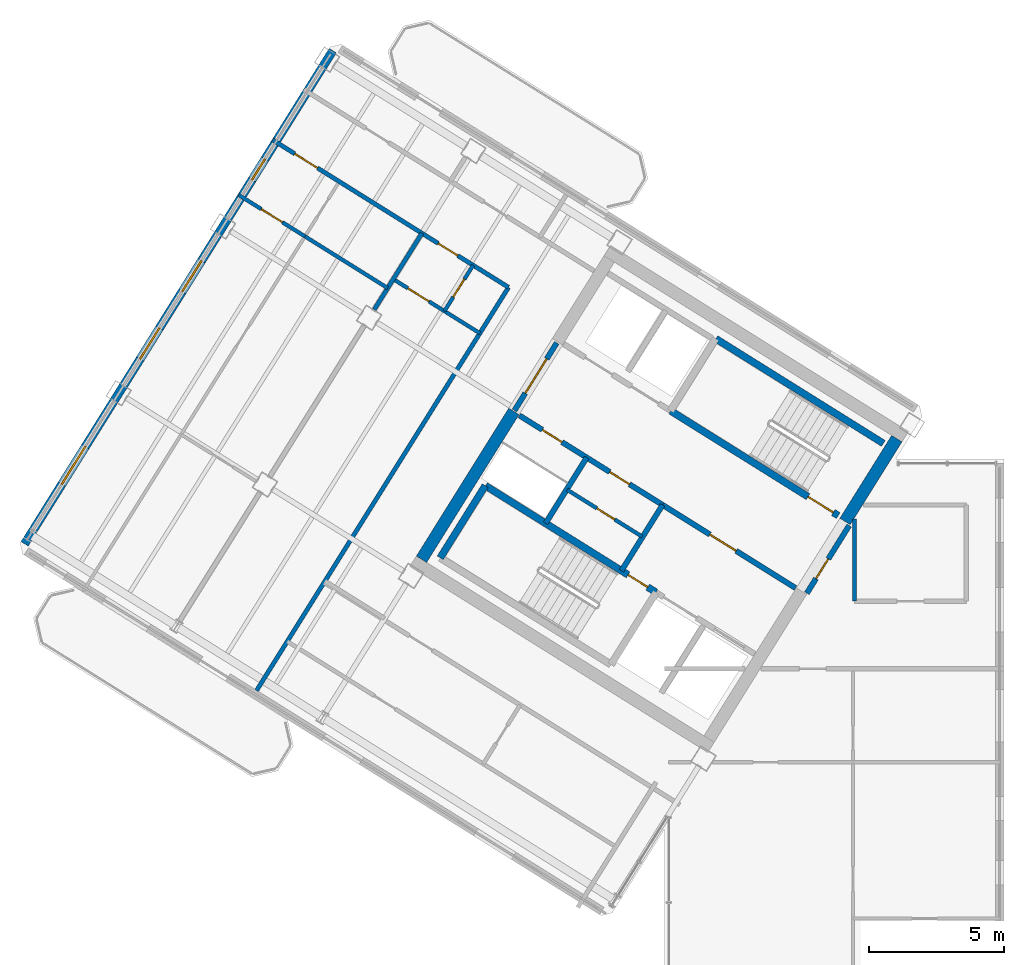
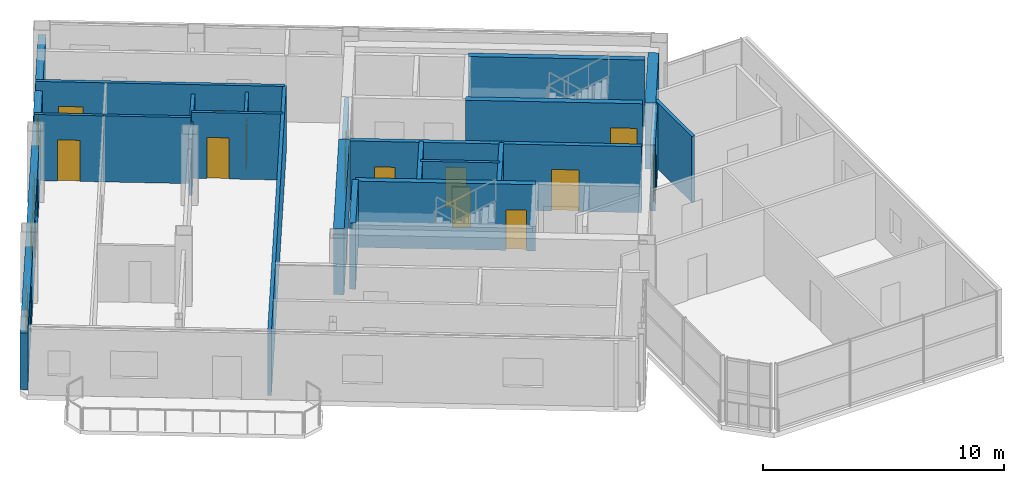
# One storey, part 8 of 14: 22 walls, 13 doors, 4 windows, 17 openings.
"""IFC4 building model written with IfcOpenShell, lengths in metres."""

from ifc_helpers import new_model, si_unit, direction, frame, frame_2d, origin, place, context, subcontext, project, spatial, rectangle, extrude, source, transform, mapped, material, layer, layer_set, type_object, element, fill, save


model = new_model("IFC4")

# Units and contexts
model_context = context("Model", 3, precision=1e-05, world=origin(), true_north=direction((0.0, 1.0)))
body_context = subcontext(model_context, "Body", "Model", "MODEL_VIEW")
ifc_project = project(units=[si_unit("LENGTHUNIT", "METRE"), si_unit("AREAUNIT", "SQUARE_METRE"), si_unit("VOLUMEUNIT", "CUBIC_METRE"), si_unit("PLANEANGLEUNIT", "RADIAN"), si_unit("MASSUNIT", "GRAM", prefix="KILO")], contexts=[model_context])

# Site, building, storey
site_placement = place(None, origin())
site = spatial("IfcSite", under=ifc_project, at=site_placement, CompositionType="ELEMENT")
building_placement = place(site_placement, origin())
building = spatial("IfcBuilding", under=site, at=building_placement, Name="Tlacorven Tower", CompositionType="ELEMENT")
storey_placement = place(building_placement, frame((0.0, 0.0, 284.39990234375)))
storey = spatial("IfcBuildingStorey", under=building, at=storey_placement, Name="L72", CompositionType="ELEMENT", Elevation=284.39990234375)

# Walls
ifc_material_1 = material(Name="Concrete C50/60", Category="concrete")
ifc_layer_1 = layer(ifc_material_1, 0.449951171875)
ifc_layer_set_1 = layer_set([ifc_layer_1], Name="Concrete C50/60")
wall_type_1 = type_object("IfcWallType", Name="WL-COR-450", PredefinedType="SHEAR", material=ifc_layer_set_1)
wall_1_placement = place(storey_placement, frame((40.220703125, 23.96484375, 0.0), z_axis=(0.0, 0.0, 1.0), x_axis=(-0.529902075036, -0.848058836916, 0.0)))
element("IfcWall", 1, at=wall_1_placement, inside=storey, type_object=wall_type_1, Name="L72 W core end wall E1.1", PredefinedType="SHEAR", context=body_context, shape_type="SweptSolid", body=[
    extrude(rectangle(XDim=3.625, YDim=0.449951171875, at=frame_2d((1.8125, 0.0))), origin(), (0.0, 0.0, 1.0), 3.35009765625),
])
wall_2_placement = place(storey_placement, frame((26.006591796875, 24.975830078125, 0.0), z_axis=(0.0, 0.0, 1.0), x_axis=(-0.529931155655, -0.848040665456, 0.0)))
element("IfcWall", 2, at=wall_2_placement, inside=storey, type_object=wall_type_1, Name="L72 W core end wall E2.2", PredefinedType="SHEAR", context=body_context, shape_type="SweptSolid", body=[
    extrude(rectangle(XDim=6.47509765625, YDim=0.449951171875, at=frame_2d((3.237548828125, 0.0))), origin(), (0.0, 0.0, 1.0), 3.35009765625),
])
ifc_material_2 = material(Name="Gypsum plasterboard acoustic partition", Category="gypsum")
ifc_layer_2 = layer(ifc_material_2, 0.159912109375)
ifc_layer_set_2 = layer_set([ifc_layer_2], Name="Gypsum plasterboard acoustic partition")
wall_type_2 = type_object("IfcWallType", Name="WL-DEM-160", PredefinedType="PARTITIONING", material=ifc_layer_set_2)
wall_3_placement = place(storey_placement, frame((25.806884765625, 29.58154296875, 0.0), z_axis=(0.0, 0.0, 1.0), x_axis=(-0.529918119251, -0.84804881162, 0.0)))
element("IfcWall", 3, at=wall_3_placement, inside=storey, type_object=wall_type_2, Name="L72 partition 23", PredefinedType="PARTITIONING", context=body_context, shape_type="SweptSolid", body=[
    extrude(rectangle(XDim=17.64990234375, YDim=0.159912109375, at=frame_2d((8.824951171875, 0.0))), origin(), (0.0, 0.0, 1.0), 3.340087890625),
])

# Wall, openings, doors
wall_4_placement = place(storey_placement, frame((25.806884765625, 29.58154296875, 0.0), z_axis=(0.0, 0.0, 1.0), x_axis=(-0.848060702647, 0.529899089097, 0.0)))
wall_4 = element("IfcWall", 4, at=wall_4_placement, inside=storey, type_object=wall_type_2, Name="L72 Wing W Corridor North Wall", PredefinedType="PARTITIONING", context=body_context, shape_type="SweptSolid", body=[
    extrude(rectangle(XDim=10.330078125, YDim=0.159912109375, at=frame_2d((5.1650390625, 0.0))), origin(), (0.0, 0.0, 1.0), 3.340087890625),
])
opening_1_placement = place(wall_4_placement, frame((2.219970703125, 0.0, 0.0)))
opening_1 = element("IfcOpeningElement", 5, at=opening_1_placement, cuts=wall_4, Name="Opening D19", PredefinedType="OPENING", context=body_context, shape_type="SweptSolid", body=[
    extrude(rectangle(XDim=0.860107421875, YDim=2.050048828125, at=frame_2d((0.43017578125, 1.02490234375))), frame((0.0, 0.08984375, 0.0), z_axis=(0.0, -1.0, 0.0), x_axis=(1.0, 0.0, 0.0)), (0.0, 0.0, 1.0), 0.179931640625),
])
opening_2_placement = place(wall_4_placement, frame((8.360107421875, 0.0, 0.0)))
opening_2 = element("IfcOpeningElement", 6, at=opening_2_placement, cuts=wall_4, Name="Opening D11", PredefinedType="OPENING", context=body_context, shape_type="SweptSolid", body=[
    extrude(rectangle(XDim=1.0, YDim=2.10009765625, at=frame_2d((0.5, 1.050048828125))), frame((0.0, 0.08984375, 0.0), z_axis=(0.0, -1.0, 0.0), x_axis=(1.0, 0.0, 0.0)), (0.0, 0.0, 1.0), 0.179931640625),
])
ifc_material_3 = material(Name="Fire-rated steel door assembly", Category="steel")
door_type_1 = type_object("IfcDoorType", Name="DR-RSR-FD60-0860", OperationType="NOTDEFINED", PredefinedType="DOOR", material=ifc_material_3)
shared_shape_1 = source(origin(), body_context, "Body", "SweptSolid", [
    extrude(rectangle(XDim=0.860107421875, YDim=2.050048828125, at=frame_2d((0.43017578125, 1.02490234375))), frame((0.0, 0.02490234375, 0.0), z_axis=(0.0, -1.0, 0.0), x_axis=(1.0, 0.0, 0.0)), (0.0, 0.0, 1.0), 0.050048828125),
])
door_1_placement = place(opening_1_placement, origin())
door_1 = element("IfcDoor", 7, at=door_1_placement, inside=storey, type_object=door_type_1, Name="L72 door 012", OperationType="SINGLE_SWING_RIGHT", OverallHeight=2.050048828125, OverallWidth=0.860107421875, PredefinedType="DOOR", context=body_context, shape_type="MappedRepresentation", body=[
    mapped(shared_shape_1, transform((0.0, 0.0, 0.0), scale=1.0)),
])
fill(opening_1, door_1)
door_type_2 = type_object("IfcDoorType", Name="DR-FLT-FD60-1000", OperationType="NOTDEFINED", PredefinedType="DOOR", material=ifc_material_3)
shared_shape_2 = source(origin(), body_context, "Body", "SweptSolid", [
    extrude(rectangle(XDim=1.0, YDim=2.10009765625, at=frame_2d((0.5, 1.050048828125))), frame((0.0, 0.02490234375, 0.0), z_axis=(0.0, -1.0, 0.0), x_axis=(1.0, 0.0, 0.0)), (0.0, 0.0, 1.0), 0.050048828125),
])
door_2_placement = place(opening_2_placement, origin())
door_2 = element("IfcDoor", 8, at=door_2_placement, inside=storey, type_object=door_type_2, Name="L72 door 016", OperationType="SINGLE_SWING_RIGHT", OverallHeight=2.10009765625, OverallWidth=1.0, PredefinedType="DOOR", context=body_context, shape_type="MappedRepresentation", body=[
    mapped(shared_shape_2, transform((0.0, 0.0, 0.0), scale=1.0)),
])
fill(opening_2, door_2)

# Walls
wall_5_placement = place(storey_placement, frame((22.5927734375, 31.58984375, 0.0), z_axis=(0.0, 0.0, 1.0), x_axis=(-0.529900320499, -0.848059933221, 0.0)))
element("IfcWall", 9, at=wall_5_placement, inside=storey, type_object=wall_type_2, Name="L72 WN Demising Wall 1", PredefinedType="PARTITIONING", context=body_context, shape_type="SweptSolid", body=[
    extrude(rectangle(XDim=3.337890625, YDim=0.159912109375, at=frame_2d((1.6689453125, 0.0))), origin(), (0.0, 0.0, 1.0), 2.875),
])
wall_6_placement = place(storey_placement, frame((38.64990234375, 17.929931640625, 0.0), z_axis=(0.0, 0.0, 1.0), x_axis=(0.0, 1.0, 0.0)))
element("IfcWall", 10, at=wall_6_placement, inside=storey, type_object=wall_type_2, Name="L72 partition 42", PredefinedType="PARTITIONING", context=body_context, shape_type="SweptSolid", body=[
    extrude(rectangle(XDim=3.045654296875, YDim=0.159912109375, at=frame_2d((1.52294921875, 0.0))), origin(), (0.0, 0.0, 1.0), 3.340087890625),
])

# Wall, openings, windows
ifc_material_4 = material(Name="Precast concrete C45/55", Category="concrete")
ifc_layer_3 = layer(ifc_material_4, 0.320068359375)
ifc_layer_set_3 = layer_set([ifc_layer_3], Name="Precast concrete C45/55")
wall_type_3 = type_object("IfcWallType", Name="WL-EXT-320", PredefinedType="STANDARD", material=ifc_layer_set_3)
wall_7_placement = place(storey_placement, frame((7.842041015625, 20.06103515625, 0.0), z_axis=(0.0, 0.0, 1.0), x_axis=(0.529915577903, 0.84805039962, 0.0)))
wall_7 = element("IfcWall", 11, at=wall_7_placement, inside=storey, type_object=wall_type_3, Name="L72 Masonry-Frame Recessed Facade Wall 3", PredefinedType="STANDARD", context=body_context, shape_type="SweptSolid", body=[
    extrude(rectangle(XDim=21.58740234375, YDim=0.320068359375, at=frame_2d((10.793701171875, 0.0))), origin(), (0.0, 0.0, 1.0), 2.875),
])
opening_3_placement = place(wall_7_placement, frame((2.606201171875, 0.0, 0.89990234375)))
opening_3 = element("IfcOpeningElement", 12, at=opening_3_placement, cuts=wall_7, Name="Opening WN07", PredefinedType="OPENING", context=body_context, shape_type="SweptSolid", body=[
    extrude(rectangle(XDim=1.64990234375, YDim=1.449951171875, at=frame_2d((0.824951171875, 0.72509765625))), frame((0.0, 0.169921875, 0.0), z_axis=(0.0, -1.0, 0.0), x_axis=(1.0, 0.0, 0.0)), (0.0, 0.0, 1.0), 0.340087890625),
])
opening_4_placement = place(wall_7_placement, frame((8.09375, 0.0, 0.89990234375)))
opening_4 = element("IfcOpeningElement", 13, at=opening_4_placement, cuts=wall_7, Name="Opening WN08", PredefinedType="OPENING", context=body_context, shape_type="SweptSolid", body=[
    extrude(rectangle(XDim=1.35009765625, YDim=1.449951171875, at=frame_2d((0.675048828125, 0.72509765625))), frame((0.0, 0.169921875, 0.0), z_axis=(0.0, -1.0, 0.0), x_axis=(1.0, 0.0, 0.0)), (0.0, 0.0, 1.0), 0.340087890625),
])
opening_5_placement = place(wall_7_placement, frame((11.043701171875, 0.0, 0.89990234375)))
opening_5 = element("IfcOpeningElement", 14, at=opening_5_placement, cuts=wall_7, Name="Opening WN08", PredefinedType="OPENING", context=body_context, shape_type="SweptSolid", body=[
    extrude(rectangle(XDim=1.35009765625, YDim=1.449951171875, at=frame_2d((0.675048828125, 0.72509765625))), frame((0.0, 0.169921875, 0.0), z_axis=(0.0, -1.0, 0.0), x_axis=(1.0, 0.0, 0.0)), (0.0, 0.0, 1.0), 0.340087890625),
])
opening_6_placement = place(wall_7_placement, frame((15.938720703125, 0.0, 1.0)))
opening_6 = element("IfcOpeningElement", 15, at=opening_6_placement, cuts=wall_7, Name="Opening WN05", PredefinedType="OPENING", context=body_context, shape_type="SweptSolid", body=[
    extrude(rectangle(XDim=0.89990234375, YDim=1.25, at=frame_2d((0.449951171875, 0.625))), frame((0.0, 0.169921875, 0.0), z_axis=(0.0, -1.0, 0.0), x_axis=(1.0, 0.0, 0.0)), (0.0, 0.0, 1.0), 0.340087890625),
])
ifc_material_5 = material(Name="Dark solar low-E double glazing in anodised aluminium frame", Category="aluminium")
window_type_1 = type_object("IfcWindowType", Name="WN-APT-0900X1350", PartitioningType="SINGLE_PANEL", PredefinedType="WINDOW", material=ifc_material_5)
shared_shape_3 = source(origin(), body_context, "Body", "SweptSolid", [
    extrude(rectangle(XDim=0.89990234375, YDim=1.25, at=frame_2d((0.449951171875, 0.625))), frame((0.0, 0.030029296875, 0.0), z_axis=(0.0, -1.0, 0.0), x_axis=(1.0, 0.0, 0.0)), (0.0, 0.0, 1.0), 0.06005859375),
])
window_1_placement = place(opening_6_placement, origin())
window_1 = element("IfcWindow", 16, at=window_1_placement, inside=storey, type_object=window_type_1, Name="L72 Recessed Masonry-Frame Window L72-03.4", OverallHeight=1.25, OverallWidth=0.89990234375, PartitioningType="SINGLE_PANEL", PredefinedType="WINDOW", context=body_context, shape_type="MappedRepresentation", body=[
    mapped(shared_shape_3, transform((0.0, 0.0, 0.0), scale=1.0)),
])
fill(opening_6, window_1)
window_type_2 = type_object("IfcWindowType", Name="WN-APT-1650X1600", PartitioningType="SINGLE_PANEL", PredefinedType="WINDOW", material=ifc_material_5)
shared_shape_4 = source(origin(), body_context, "Body", "SweptSolid", [
    extrude(rectangle(XDim=1.64990234375, YDim=1.449951171875, at=frame_2d((0.824951171875, 0.72509765625))), frame((0.0, 0.030029296875, 0.0), z_axis=(0.0, -1.0, 0.0), x_axis=(1.0, 0.0, 0.0)), (0.0, 0.0, 1.0), 0.06005859375),
])
window_2_placement = place(opening_3_placement, origin())
window_2 = element("IfcWindow", 17, at=window_2_placement, inside=storey, type_object=window_type_2, Name="L72 Recessed Masonry-Frame Window L72-03.1", OverallHeight=1.449951171875, OverallWidth=1.64990234375, PartitioningType="SINGLE_PANEL", PredefinedType="WINDOW", context=body_context, shape_type="MappedRepresentation", body=[
    mapped(shared_shape_4, transform((0.0, 0.0, 0.0), scale=1.0)),
])
fill(opening_3, window_2)
window_type_3 = type_object("IfcWindowType", Name="WN-APT-1350X1550", PartitioningType="SINGLE_PANEL", PredefinedType="WINDOW", material=ifc_material_5)
shared_shape_5 = source(origin(), body_context, "Body", "SweptSolid", [
    extrude(rectangle(XDim=1.35009765625, YDim=1.449951171875, at=frame_2d((0.675048828125, 0.72509765625))), frame((0.0, 0.030029296875, 0.0), z_axis=(0.0, -1.0, 0.0), x_axis=(1.0, 0.0, 0.0)), (0.0, 0.0, 1.0), 0.06005859375),
])
window_3_placement = place(opening_4_placement, origin())
window_3 = element("IfcWindow", 18, at=window_3_placement, inside=storey, type_object=window_type_3, Name="L72 Recessed Masonry-Frame Window L72-03.2", OverallHeight=1.449951171875, OverallWidth=1.35009765625, PartitioningType="SINGLE_PANEL", PredefinedType="WINDOW", context=body_context, shape_type="MappedRepresentation", body=[
    mapped(shared_shape_5, transform((0.0, 0.0, 0.0), scale=1.0)),
])
fill(opening_4, window_3)
window_4_placement = place(opening_5_placement, origin())
window_4 = element("IfcWindow", 19, at=window_4_placement, inside=storey, type_object=window_type_3, Name="L72 Recessed Masonry-Frame Window L72-03.3", OverallHeight=1.449951171875, OverallWidth=1.35009765625, PartitioningType="SINGLE_PANEL", PredefinedType="WINDOW", context=body_context, shape_type="MappedRepresentation", body=[
    mapped(shared_shape_5, transform((0.0, 0.0, 0.0), scale=1.0)),
])
fill(opening_5, window_4)

# Wall, opening, door
ifc_material_6 = material(Name="Moisture-resistant gypsum plumbing wall", Category="gypsum")
ifc_layer_4 = layer(ifc_material_6, 0.139892578125)
ifc_layer_set_4 = layer_set([ifc_layer_4], Name="Moisture-resistant gypsum plumbing wall")
wall_type_4 = type_object("IfcWallType", Name="WL-PLM-140", PredefinedType="PLUMBINGWALL", material=ifc_layer_set_4)
wall_8_placement = place(storey_placement, frame((30.766357421875, 20.3271484375, 0.0), z_axis=(0.0, 0.0, 1.0), x_axis=(-0.848052663127, 0.529911955482, 0.0)))
wall_8 = element("IfcWall", 20, at=wall_8_placement, inside=storey, type_object=wall_type_4, Name="L72 partition 18", PredefinedType="PLUMBINGWALL", context=body_context, shape_type="SweptSolid", body=[
    extrude(rectangle(XDim=3.27978515625, YDim=0.139892578125, at=frame_2d((1.639892578125, 0.0))), origin(), (0.0, 0.0, 1.0), 3.340087890625),
])
opening_7_placement = place(wall_8_placement, frame((1.199951171875, 0.0, 0.0)))
opening_7 = element("IfcOpeningElement", 21, at=opening_7_placement, cuts=wall_8, Name="Opening D22", PredefinedType="OPENING", context=body_context, shape_type="SweptSolid", body=[
    extrude(rectangle(XDim=0.780029296875, YDim=2.050048828125, at=frame_2d((0.39013671875, 1.02490234375))), frame((0.0, 0.080078125, 0.0), z_axis=(0.0, -1.0, 0.0), x_axis=(1.0, 0.0, 0.0)), (0.0, 0.0, 1.0), 0.159912109375),
])
ifc_material_7 = material(Name="Powder-coated aluminium and timber door", Category="wood")
door_type_3 = type_object("IfcDoorType", Name="DR-INT-WET-0780", OperationType="NOTDEFINED", PredefinedType="DOOR", material=ifc_material_7)
shared_shape_6 = source(origin(), body_context, "Body", "SweptSolid", [
    extrude(rectangle(XDim=0.780029296875, YDim=2.050048828125, at=frame_2d((0.39013671875, 1.02490234375))), frame((0.0, 0.02490234375, 0.0), z_axis=(0.0, -1.0, 0.0), x_axis=(1.0, 0.0, 0.0)), (0.0, 0.0, 1.0), 0.050048828125),
])
door_3_placement = place(opening_7_placement, origin())
door_3 = element("IfcDoor", 22, at=door_3_placement, inside=storey, type_object=door_type_3, Name="L72 door 010", OperationType="SINGLE_SWING_LEFT", OverallHeight=2.050048828125, OverallWidth=0.780029296875, PredefinedType="DOOR", context=body_context, shape_type="MappedRepresentation", body=[
    mapped(shared_shape_6, transform((0.0, 0.0, 0.0), scale=1.0)),
])
fill(opening_7, door_3)

wall_9_placement = place(storey_placement, frame((24.74169921875, 27.876953125, 0.0), z_axis=(0.0, 0.0, 1.0), x_axis=(-0.848059820872, 0.529900500304, 0.0)))
wall_9 = element("IfcWall", 23, at=wall_9_placement, inside=storey, type_object=wall_type_4, Name="L72 partition 27", PredefinedType="PLUMBINGWALL", context=body_context, shape_type="SweptSolid", body=[
    extrude(rectangle(XDim=3.7900390625, YDim=0.139892578125, at=frame_2d((1.89501953125, 0.0))), origin(), (0.0, 0.0, 1.0), 3.340087890625),
])
opening_8_placement = place(wall_9_placement, frame((2.22998046875, 0.0, 0.0)))
opening_8 = element("IfcOpeningElement", 24, at=opening_8_placement, cuts=wall_9, Name="Opening D12", PredefinedType="OPENING", context=body_context, shape_type="SweptSolid", body=[
    extrude(rectangle(XDim=0.919921875, YDim=2.080078125, at=frame_2d((0.4599609375, 1.0400390625))), frame((0.0, 0.080078125, 0.0), z_axis=(0.0, -1.0, 0.0), x_axis=(1.0, 0.0, 0.0)), (0.0, 0.0, 1.0), 0.159912109375),
])
door_type_4 = type_object("IfcDoorType", Name="DR-INT-ROOM-0920", OperationType="NOTDEFINED", PredefinedType="DOOR", material=ifc_material_7)
shared_shape_7 = source(origin(), body_context, "Body", "SweptSolid", [
    extrude(rectangle(XDim=0.919921875, YDim=2.080078125, at=frame_2d((0.4599609375, 1.0400390625))), frame((0.0, 0.02490234375, 0.0), z_axis=(0.0, -1.0, 0.0), x_axis=(1.0, 0.0, 0.0)), (0.0, 0.0, 1.0), 0.050048828125),
])
door_4_placement = place(opening_8_placement, origin())
door_4 = element("IfcDoor", 25, at=door_4_placement, inside=storey, type_object=door_type_4, Name="L72 door 013", OperationType="SINGLE_SWING_LEFT", OverallHeight=2.080078125, OverallWidth=0.919921875, PredefinedType="DOOR", context=body_context, shape_type="MappedRepresentation", body=[
    mapped(shared_shape_7, transform((0.0, 0.0, 0.0), scale=1.0)),
])
fill(opening_8, door_4)

wall_10_placement = place(storey_placement, frame((24.492431640625, 30.40283203125, 0.0), z_axis=(0.0, 0.0, 1.0), x_axis=(-0.529933431478, -0.848039243315, 0.0)))
wall_10 = element("IfcWall", 26, at=wall_10_placement, inside=storey, type_object=wall_type_4, Name="L72 partition 28", PredefinedType="PLUMBINGWALL", context=body_context, shape_type="SweptSolid", body=[
    extrude(rectangle(XDim=2.010009765625, YDim=0.139892578125, at=frame_2d((1.0048828125, 0.0))), origin(), (0.0, 0.0, 1.0), 3.025146484375),
])
opening_9_placement = place(wall_10_placement, frame((0.614990234375, 0.0, 0.0)))
opening_9 = element("IfcOpeningElement", 27, at=opening_9_placement, cuts=wall_10, Name="Opening D22", PredefinedType="OPENING", context=body_context, shape_type="SweptSolid", body=[
    extrude(rectangle(XDim=0.780029296875, YDim=2.050048828125, at=frame_2d((0.39013671875, 1.02490234375))), frame((0.0, 0.080078125, 0.0), z_axis=(0.0, -1.0, 0.0), x_axis=(1.0, 0.0, 0.0)), (0.0, 0.0, 1.0), 0.159912109375),
])
door_5_placement = place(opening_9_placement, origin())
door_5 = element("IfcDoor", 28, at=door_5_placement, inside=storey, type_object=door_type_3, Name="L72 door 014", OperationType="SINGLE_SWING_RIGHT", OverallHeight=2.050048828125, OverallWidth=0.780029296875, PredefinedType="DOOR", context=body_context, shape_type="MappedRepresentation", body=[
    mapped(shared_shape_6, transform((0.0, 0.0, 0.0), scale=1.0)),
])
fill(opening_9, door_5)

wall_11_placement = place(storey_placement, frame((18.2509765625, 31.472900390625, 0.0), z_axis=(0.0, 0.0, 1.0), x_axis=(-0.848059786386, 0.529900555496, 0.0)))
wall_11 = element("IfcWall", 29, at=wall_11_placement, inside=storey, type_object=wall_type_4, Name="L72 partition 31", PredefinedType="PLUMBINGWALL", context=body_context, shape_type="SweptSolid", body=[
    extrude(rectangle(XDim=2.89990234375, YDim=0.139892578125, at=frame_2d((1.449951171875, 0.0))), origin(), (0.0, 0.0, 1.0), 3.340087890625),
])
opening_10_placement = place(wall_11_placement, frame((0.989990234375, 0.0, 0.0)))
opening_10 = element("IfcOpeningElement", 30, at=opening_10_placement, cuts=wall_11, Name="Opening D12", PredefinedType="OPENING", context=body_context, shape_type="SweptSolid", body=[
    extrude(rectangle(XDim=0.919921875, YDim=2.080078125, at=frame_2d((0.4599609375, 1.0400390625))), frame((0.0, 0.080078125, 0.0), z_axis=(0.0, -1.0, 0.0), x_axis=(1.0, 0.0, 0.0)), (0.0, 0.0, 1.0), 0.159912109375),
])
door_6_placement = place(opening_10_placement, origin())
door_6 = element("IfcDoor", 31, at=door_6_placement, inside=storey, type_object=door_type_4, Name="L72 door 017", OperationType="SINGLE_SWING_LEFT", OverallHeight=2.080078125, OverallWidth=0.919921875, PredefinedType="DOOR", context=body_context, shape_type="MappedRepresentation", body=[
    mapped(shared_shape_7, transform((0.0, 0.0, 0.0), scale=1.0)),
])
fill(opening_10, door_6)

# Wall
wall_12_placement = place(storey_placement, frame((21.32080078125, 29.554443359375, 0.0), z_axis=(0.0, 0.0, 1.0), x_axis=(-0.848021036626, 0.529962566074, 0.0)))
element("IfcWall", 32, at=wall_12_placement, inside=storey, type_object=wall_type_4, Name="L72 partition 32", PredefinedType="PLUMBINGWALL", context=body_context, shape_type="SweptSolid", body=[
    extrude(rectangle(XDim=3.619873046875, YDim=0.139892578125, at=frame_2d((1.81005859375, 0.0))), origin(), (0.0, 0.0, 1.0), 3.340087890625),
])

# Wall, opening, door
ifc_material_8 = material(Name="Concrete C40/50", Category="concrete")
ifc_layer_5 = layer(ifc_material_8, 0.199951171875)
ifc_layer_set_5 = layer_set([ifc_layer_5], Name="Concrete C40/50")
wall_type_5 = type_object("IfcWallType", Name="WL-SHF-200", PredefinedType="STANDARD", material=ifc_layer_set_5)
wall_13_placement = place(storey_placement, frame((36.459228515625, 18.420654296875, 0.0), z_axis=(0.0, 0.0, 1.0), x_axis=(-0.848059591691, 0.529900867089, 0.0)))
wall_13 = element("IfcWall", 33, at=wall_13_placement, inside=storey, type_object=wall_type_5, Name="L72 Core W Smoke Lobby Wall", PredefinedType="STANDARD", context=body_context, shape_type="SweptSolid", body=[
    extrude(rectangle(XDim=5.818115234375, YDim=0.199951171875, at=frame_2d((2.9091796875, 0.0))), origin(), (0.0, 0.0, 1.0), 3.340087890625),
])
opening_11_placement = place(wall_13_placement, frame((2.597900390625, 0.0, 0.0)))
opening_11 = element("IfcOpeningElement", 34, at=opening_11_placement, cuts=wall_13, Name="Opening D09", PredefinedType="OPENING", context=body_context, shape_type="SweptSolid", body=[
    extrude(rectangle(XDim=1.14990234375, YDim=2.10009765625, at=frame_2d((0.574951171875, 1.050048828125))), frame((0.0, 0.10986328125, 0.0), z_axis=(0.0, -1.0, 0.0), x_axis=(1.0, 0.0, 0.0)), (0.0, 0.0, 1.0), 0.219970703125),
])
door_type_5 = type_object("IfcDoorType", Name="DR-FFL-FD60-1150", OperationType="NOTDEFINED", PredefinedType="DOOR", material=ifc_material_3)
shared_shape_8 = source(origin(), body_context, "Body", "SweptSolid", [
    extrude(rectangle(XDim=1.14990234375, YDim=2.10009765625, at=frame_2d((0.574951171875, 1.050048828125))), frame((0.0, 0.02490234375, 0.0), z_axis=(0.0, -1.0, 0.0), x_axis=(1.0, 0.0, 0.0)), (0.0, 0.0, 1.0), 0.050048828125),
])
door_7_placement = place(opening_11_placement, origin())
door_7 = element("IfcDoor", 35, at=door_7_placement, inside=storey, type_object=door_type_5, Name="L72 Firefighting Lobby W Fire Door", OperationType="SINGLE_SWING_RIGHT", OverallHeight=2.10009765625, OverallWidth=1.14990234375, PredefinedType="DOOR", context=body_context, shape_type="MappedRepresentation", body=[
    mapped(shared_shape_8, transform((0.0, 0.0, 0.0), scale=1.0)),
])
fill(opening_11, door_7)

# Walls
for number, where, z_axis, x_axis, name in (
    (36, (31.525146484375, 21.503662109375, 0.0), (0.0, 0.0, 1.0), (-0.529907497854, -0.848055448493, 0.0), "L72 partition 15"),
    (37, (28.709716796875, 23.26318359375, 0.0), (0.0, 0.0, 1.0), (-0.529907497854, -0.848055448493, 0.0), "L72 partition 16"),
):
    element("IfcWall", number, at=place(storey_placement, frame(where, z_axis=z_axis, x_axis=x_axis)), inside=storey, type_object=wall_type_5, Name=name, PredefinedType="STANDARD", context=body_context, shape_type="SweptSolid", body=[
        extrude(rectangle(XDim=2.8798828125, YDim=0.199951171875, at=frame_2d((1.43994140625, 0.0))), origin(), (0.0, 0.0, 1.0), 3.340087890625),
    ])

# Wall, openings, doors
wall_14_placement = place(storey_placement, frame((31.525146484375, 21.503662109375, 0.0), z_axis=(0.0, 0.0, 1.0), x_axis=(-0.848042066329, 0.529928913853, 0.0)))
wall_14 = element("IfcWall", 38, at=wall_14_placement, inside=storey, type_object=wall_type_5, Name="L72 Core W North Service Wall", PredefinedType="STANDARD", context=body_context, shape_type="SweptSolid", body=[
    extrude(rectangle(XDim=6.267822265625, YDim=0.199951171875, at=frame_2d((3.1337890625, 0.0))), origin(), (0.0, 0.0, 1.0), 3.340087890625),
])
opening_12_placement = place(wall_14_placement, frame((4.39990234375, 0.0, 0.0)))
opening_12 = element("IfcOpeningElement", 39, at=opening_12_placement, cuts=wall_14, Name="Opening D19", PredefinedType="OPENING", context=body_context, shape_type="SweptSolid", body=[
    extrude(rectangle(XDim=0.860107421875, YDim=2.050048828125, at=frame_2d((0.43017578125, 1.02490234375))), frame((0.0, 0.10986328125, 0.0), z_axis=(0.0, -1.0, 0.0), x_axis=(1.0, 0.0, 0.0)), (0.0, 0.0, 1.0), 0.219970703125),
])
opening_13_placement = place(wall_14_placement, frame((1.449951171875, 0.0, 0.0)))
opening_13 = element("IfcOpeningElement", 40, at=opening_13_placement, cuts=wall_14, Name="Opening D19", PredefinedType="OPENING", context=body_context, shape_type="SweptSolid", body=[
    extrude(rectangle(XDim=0.860107421875, YDim=2.050048828125, at=frame_2d((0.43017578125, 1.02490234375))), frame((0.0, 0.10986328125, 0.0), z_axis=(0.0, -1.0, 0.0), x_axis=(1.0, 0.0, 0.0)), (0.0, 0.0, 1.0), 0.219970703125),
])
door_8_placement = place(opening_12_placement, frame((0.860107421875, 0.0, 0.0), z_axis=(0.0, 0.0, 1.0), x_axis=(-1.0, 0.0, 0.0)))
door_8 = element("IfcDoor", 41, at=door_8_placement, inside=storey, type_object=door_type_1, Name="L72 Electrical Riser Access Door W", OperationType="SINGLE_SWING_LEFT", OverallHeight=2.050048828125, OverallWidth=0.860107421875, PredefinedType="DOOR", context=body_context, shape_type="MappedRepresentation", body=[
    mapped(shared_shape_1, transform((0.0, 0.0, 0.0), scale=1.0)),
])
fill(opening_12, door_8)
door_9_placement = place(opening_13_placement, frame((0.860107421875, 0.0, 0.0), z_axis=(0.0, 0.0, 1.0), x_axis=(-1.0, 0.0, 0.0)))
door_9 = element("IfcDoor", 42, at=door_9_placement, inside=storey, type_object=door_type_1, Name="L72 Cleaner Store Access Door W", OperationType="SINGLE_SWING_RIGHT", OverallHeight=2.050048828125, OverallWidth=0.860107421875, PredefinedType="DOOR", context=body_context, shape_type="MappedRepresentation", body=[
    mapped(shared_shape_1, transform((0.0, 0.0, 0.0), scale=1.0)),
])
fill(opening_13, door_9)

# Wall, opening, door
wall_15_placement = place(storey_placement, frame((27.59619140625, 27.52001953125, 0.0), z_axis=(0.0, 0.0, 1.0), x_axis=(-0.529865479138, -0.848081702443, 0.0)))
wall_15 = element("IfcWall", 43, at=wall_15_placement, inside=storey, type_object=wall_type_5, Name="L72 partition 19", PredefinedType="STANDARD", context=body_context, shape_type="SweptSolid", body=[
    extrude(rectangle(XDim=2.9599609375, YDim=0.199951171875, at=frame_2d((1.47998046875, 0.0))), origin(), (0.0, 0.0, 1.0), 3.340087890625),
])
opening_14_placement = place(wall_15_placement, frame((0.699951171875, 0.0, 0.0)))
opening_14 = element("IfcOpeningElement", 44, at=opening_14_placement, cuts=wall_15, Name="Opening D10", PredefinedType="OPENING", context=body_context, shape_type="SweptSolid", body=[
    extrude(rectangle(XDim=1.5, YDim=2.14990234375, at=frame_2d((0.75, 1.074951171875))), frame((0.0, 0.10986328125, 0.0), z_axis=(0.0, -1.0, 0.0), x_axis=(1.0, 0.0, 0.0)), (0.0, 0.0, 1.0), 0.219970703125),
])
door_type_6 = type_object("IfcDoorType", Name="DR-LOB-FD60-1500", OperationType="DOUBLE_DOOR_SINGLE_SWING", PredefinedType="DOOR", material=ifc_material_3)
shared_shape_9 = source(origin(), body_context, "Body", "SweptSolid", [
    extrude(rectangle(XDim=1.5, YDim=2.14990234375, at=frame_2d((0.75, 1.074951171875))), frame((0.0, 0.02490234375, 0.0), z_axis=(0.0, -1.0, 0.0), x_axis=(1.0, 0.0, 0.0)), (0.0, 0.0, 1.0), 0.050048828125),
])
door_10_placement = place(opening_14_placement, origin())
door_10 = element("IfcDoor", 45, at=door_10_placement, inside=storey, type_object=door_type_6, Name="L72 door 011", OperationType="DOUBLE_DOOR_SINGLE_SWING", OverallHeight=2.14990234375, OverallWidth=1.5, PredefinedType="DOOR", context=body_context, shape_type="MappedRepresentation", body=[
    mapped(shared_shape_9, transform((0.0, 0.0, 0.0), scale=1.0)),
])
fill(opening_14, door_10)

wall_16_placement = place(storey_placement, frame((38.451416015625, 20.737060546875, 0.0), z_axis=(0.0, 0.0, 1.0), x_axis=(-0.529924799939, -0.848044637038, 0.0)))
wall_16 = element("IfcWall", 46, at=wall_16_placement, inside=storey, type_object=wall_type_5, Name="L72 partition 39", PredefinedType="STANDARD", context=body_context, shape_type="SweptSolid", body=[
    extrude(rectangle(XDim=2.9599609375, YDim=0.199951171875, at=frame_2d((1.47998046875, 0.0))), origin(), (0.0, 0.0, 1.0), 3.340087890625),
])
opening_15_placement = place(wall_16_placement, frame((1.4599609375, 0.0, 0.0)))
opening_15 = element("IfcOpeningElement", 47, at=opening_15_placement, cuts=wall_16, Name="Opening D19", PredefinedType="OPENING", context=body_context, shape_type="SweptSolid", body=[
    extrude(rectangle(XDim=0.860107421875, YDim=2.050048828125, at=frame_2d((0.43017578125, 1.02490234375))), frame((0.0, 0.10986328125, 0.0), z_axis=(0.0, -1.0, 0.0), x_axis=(1.0, 0.0, 0.0)), (0.0, 0.0, 1.0), 0.219970703125),
])
door_11_placement = place(opening_15_placement, frame((0.860107421875, 0.0, 0.0), z_axis=(0.0, 0.0, 1.0), x_axis=(-1.0, 0.0, 0.0)))
door_11 = element("IfcDoor", 48, at=door_11_placement, inside=storey, type_object=door_type_1, Name="L72 door 027", OperationType="SINGLE_SWING_LEFT", OverallHeight=2.050048828125, OverallWidth=0.860107421875, PredefinedType="DOOR", context=body_context, shape_type="MappedRepresentation", body=[
    mapped(shared_shape_1, transform((0.0, 0.0, 0.0), scale=1.0)),
])
fill(opening_15, door_11)

ifc_layer_6 = layer(ifc_material_1, 0.260009765625)
ifc_layer_set_6 = layer_set([ifc_layer_6], Name="Concrete C50/60")
wall_type_6 = type_object("IfcWallType", Name="WL-STW-260", PredefinedType="SHEAR", material=ifc_layer_set_6)
wall_17_placement = place(storey_placement, frame((31.279541015625, 18.26123046875, 0.0), z_axis=(0.0, 0.0, 1.0), x_axis=(-0.848051618787, 0.529913626805, 0.0)))
wall_17 = element("IfcWall", 49, at=wall_17_placement, inside=storey, type_object=wall_type_6, Name="L72 Stair W1 Lobby Shear Wall", PredefinedType="SHEAR", context=body_context, shape_type="SweptSolid", body=[
    extrude(rectangle(XDim=7.4599609375, YDim=0.260009765625, at=frame_2d((3.72998046875, 0.0))), origin(), (0.0, 0.0, 1.0), 3.35009765625),
])
opening_16_placement = place(wall_17_placement, frame((0.360107421875, 0.0, 0.0)))
opening_16 = element("IfcOpeningElement", 50, at=opening_16_placement, cuts=wall_17, Name="Opening D19", PredefinedType="OPENING", context=body_context, shape_type="SweptSolid", body=[
    extrude(rectangle(XDim=0.860107421875, YDim=2.050048828125, at=frame_2d((0.43017578125, 1.02490234375))), frame((0.0, 0.14013671875, 0.0), z_axis=(0.0, -1.0, 0.0), x_axis=(1.0, 0.0, 0.0)), (0.0, 0.0, 1.0), 0.280029296875),
])
door_12_placement = place(opening_16_placement, frame((0.860107421875, 0.0, 0.0), z_axis=(0.0, 0.0, 1.0), x_axis=(-1.0, 0.0, 0.0)))
door_12 = element("IfcDoor", 51, at=door_12_placement, inside=storey, type_object=door_type_1, Name="L72 Exit Stair W1 Fire Door", OperationType="SINGLE_SWING_LEFT", OverallHeight=2.050048828125, OverallWidth=0.860107421875, PredefinedType="DOOR", context=body_context, shape_type="MappedRepresentation", body=[
    mapped(shared_shape_1, transform((0.0, 0.0, 0.0), scale=1.0)),
])
fill(opening_16, door_12)

# Walls
wall_18_placement = place(storey_placement, frame((24.944580078125, 22.2197265625, 0.0), z_axis=(0.0, 0.0, 1.0), x_axis=(-0.529908658664, -0.84805472316, 0.0)))
element("IfcWall", 52, at=wall_18_placement, inside=storey, type_object=wall_type_6, Name="L72 Stair W1 East Shear Wall", PredefinedType="SHEAR", context=body_context, shape_type="SweptSolid", body=[
    extrude(rectangle(XDim=3.16015625, YDim=0.260009765625, at=frame_2d((1.580078125, 0.0))), origin(), (0.0, 0.0, 1.0), 3.35009765625),
])
wall_19_placement = place(storey_placement, frame((39.720947265625, 23.787841796875, 0.0), z_axis=(0.0, 0.0, 1.0), x_axis=(-0.848054434086, 0.529909121291, 0.0)))
element("IfcWall", 53, at=wall_19_placement, inside=storey, type_object=wall_type_6, Name="L72 Stair W2 Far Shear Wall", PredefinedType="SHEAR", context=body_context, shape_type="SweptSolid", body=[
    extrude(rectangle(XDim=7.330078125, YDim=0.260009765625, at=frame_2d((3.6650390625, 0.0))), origin(), (0.0, 0.0, 1.0), 3.35009765625),
])

# Wall, opening, door
wall_20_placement = place(storey_placement, frame((38.04638671875, 21.10791015625, 0.0), z_axis=(0.0, 0.0, 1.0), x_axis=(-0.848054434086, 0.529909121291, 0.0)))
wall_20 = element("IfcWall", 54, at=wall_20_placement, inside=storey, type_object=wall_type_6, Name="L72 Stair W2 Lobby Shear Wall", PredefinedType="SHEAR", context=body_context, shape_type="SweptSolid", body=[
    extrude(rectangle(XDim=7.330078125, YDim=0.260009765625, at=frame_2d((3.6650390625, 0.0))), origin(), (0.0, 0.0, 1.0), 3.35009765625),
])
opening_17_placement = place(wall_20_placement, frame((0.219970703125, 0.0, 0.0)))
opening_17 = element("IfcOpeningElement", 55, at=opening_17_placement, cuts=wall_20, Name="Opening D07", PredefinedType="OPENING", context=body_context, shape_type="SweptSolid", body=[
    extrude(rectangle(XDim=1.10009765625, YDim=2.10009765625, at=frame_2d((0.550048828125, 1.050048828125))), frame((0.0, 0.14013671875, 0.0), z_axis=(0.0, -1.0, 0.0), x_axis=(1.0, 0.0, 0.0)), (0.0, 0.0, 1.0), 0.280029296875),
])
door_type_7 = type_object("IfcDoorType", Name="DR-STR-FD90-1100", OperationType="NOTDEFINED", PredefinedType="DOOR", material=ifc_material_3)
shared_shape_10 = source(origin(), body_context, "Body", "SweptSolid", [
    extrude(rectangle(XDim=1.10009765625, YDim=2.10009765625, at=frame_2d((0.550048828125, 1.050048828125))), frame((0.0, 0.02490234375, 0.0), z_axis=(0.0, -1.0, 0.0), x_axis=(1.0, 0.0, 0.0)), (0.0, 0.0, 1.0), 0.050048828125),
])
door_13_placement = place(opening_17_placement, origin())
door_13 = element("IfcDoor", 56, at=door_13_placement, inside=storey, type_object=door_type_7, Name="L72 Exit Stair W2 Fire Door", OperationType="SINGLE_SWING_LEFT", OverallHeight=2.10009765625, OverallWidth=1.10009765625, PredefinedType="DOOR", context=body_context, shape_type="MappedRepresentation", body=[
    mapped(shared_shape_10, transform((0.0, 0.0, 0.0), scale=1.0)),
])
fill(opening_17, door_13)

save(model, "model.ifc")
